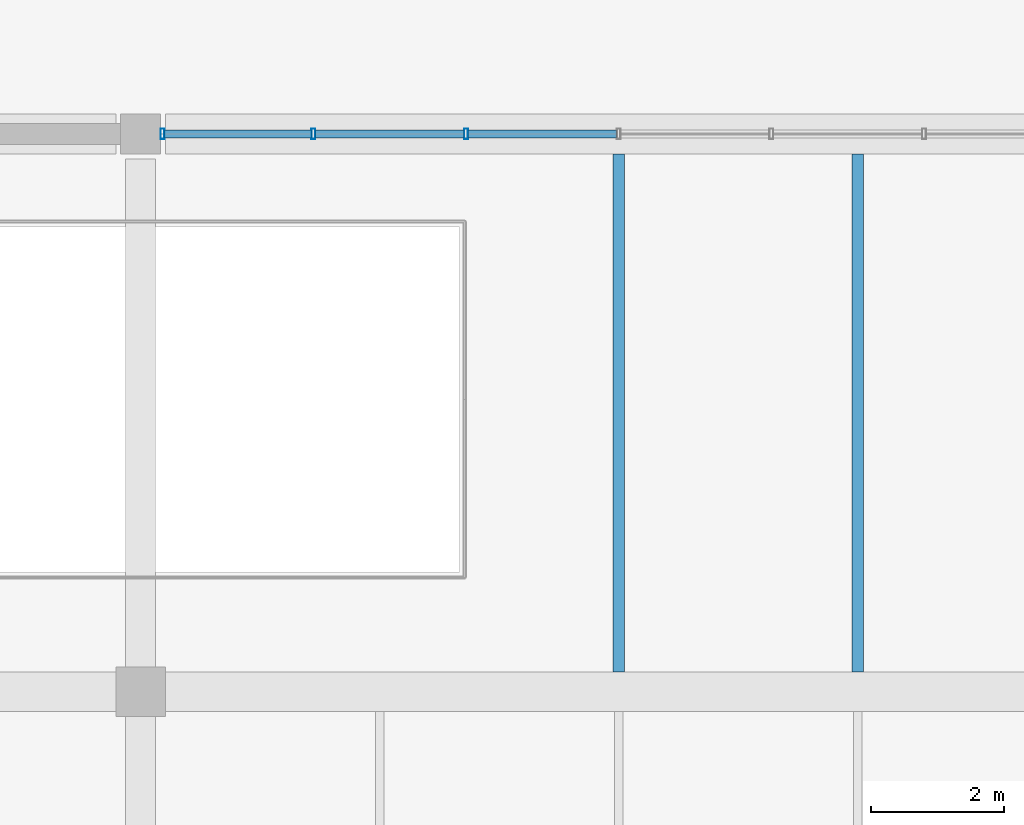
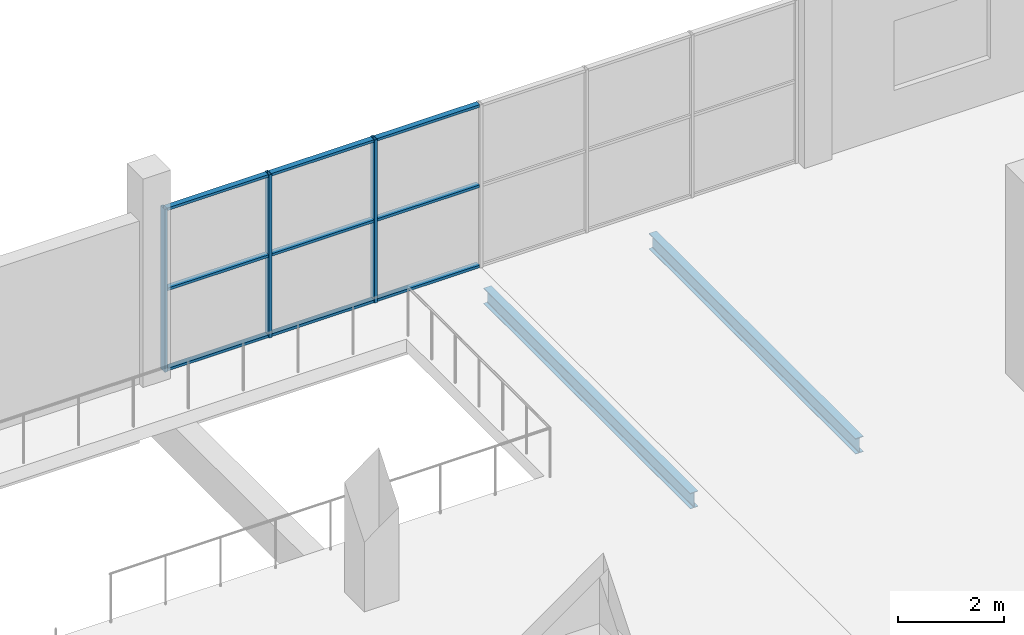
# One storey, part 58 of 130: 12 members, 2 beams, 1 element without a shape of its own.
"""IFC4 building model written with IfcOpenShell, lengths in metres."""

from ifc_helpers import new_model, si_unit, direction, frame, origin, origin_2d, place, context, subcontext, project, spatial, hollow_rectangle, i_section, extrude, material, material_profile, profile_set, type_object, element, aggregate, save


model = new_model("IFC4")

# Units and contexts
model_context = context("Model", 3, precision=1e-05, world=origin(), true_north=direction((0.0, 1.0)))
body_context = subcontext(model_context, "Body", "Model", "MODEL_VIEW")
ifc_project = project(units=[si_unit("LENGTHUNIT", "METRE"), si_unit("AREAUNIT", "SQUARE_METRE"), si_unit("VOLUMEUNIT", "CUBIC_METRE"), si_unit("PLANEANGLEUNIT", "RADIAN"), si_unit("MASSUNIT", "GRAM", prefix="KILO"), si_unit("THERMODYNAMICTEMPERATUREUNIT", "KELVIN")], contexts=[model_context])

# Site, building, storey
site_placement = place(None, origin())
site = spatial("IfcSite", under=ifc_project, at=site_placement, CompositionType="ELEMENT")
building_placement = place(site_placement, origin())
building = spatial("IfcBuilding", under=site, at=building_placement, Name="Nduvali Passage Aquatics Centre", CompositionType="ELEMENT")
storey_placement = place(building_placement, origin())
storey = spatial("IfcBuildingStorey", under=building, at=storey_placement, Name="L00", CompositionType="ELEMENT", Elevation=0.0)

# Curtain wall, members
ifc_material_1 = material(Name="Aluminium EN AW-6063 T6", Category="aluminium")
curtain_wall_type = type_object("IfcCurtainWallType", Name="ENV-CW-WELL", PredefinedType="NOTDEFINED", material=ifc_material_1)
curtain_wall_placement = place(storey_placement, origin())
curtain_wall = element("IfcCurtainWall", 1, at=curtain_wall_placement, inside=storey, type_object=curtain_wall_type, Name="L00 North Avenue Lobby CW 107", PredefinedType="NOTDEFINED")
ifc_material_profile_1 = material_profile(ifc_material_1, hollow_rectangle(XDim=0.06005859375, YDim=0.159912109375, WallThickness=0.00390625, at=origin_2d()), Name="ALU MULLION 60x160x4")
ifc_profile_set_1 = profile_set([ifc_material_profile_1], Name="Aluminium EN AW-6063 T6")
member_type_1 = type_object("IfcMemberType", Name="ENV-MEM-MUL60", PredefinedType="MULLION", material=ifc_profile_set_1)
member_1_placement = place(storey_placement, frame((83.1298828125, 117.60009765625, 0.0), z_axis=(0.0, 0.0, 1.0), x_axis=(1.0, 0.0, 0.0)))
member_1 = element("IfcMember", 2, at=member_1_placement, type_object=member_type_1, Name="North Avenue Lobby CW Mullion 1", PredefinedType="MULLION", context=body_context, shape_type="SweptSolid", body=[
    extrude(hollow_rectangle(XDim=0.06005859375, YDim=0.159912109375, WallThickness=0.00390625, at=origin_2d()), origin(), (0.0, 0.0, 1.0), 3.75390625),
])
member_2_placement = place(storey_placement, frame((85.39990234375, 117.60009765625, 0.0), z_axis=(0.0, 0.0, 1.0), x_axis=(1.0, 0.0, 0.0)))
member_2 = element("IfcMember", 3, at=member_2_placement, type_object=member_type_1, Name="North Avenue Lobby CW Mullion 2", PredefinedType="MULLION", context=body_context, shape_type="SweptSolid", body=[
    extrude(hollow_rectangle(XDim=0.06005859375, YDim=0.159912109375, WallThickness=0.00390625, at=origin_2d()), origin(), (0.0, 0.0, 1.0), 3.75390625),
])
member_3_placement = place(storey_placement, frame((87.699951171875, 117.60009765625, 0.0), z_axis=(0.0, 0.0, 1.0), x_axis=(1.0, 0.0, 0.0)))
member_3 = element("IfcMember", 4, at=member_3_placement, type_object=member_type_1, Name="North Avenue Lobby CW Mullion 3", PredefinedType="MULLION", context=body_context, shape_type="SweptSolid", body=[
    extrude(hollow_rectangle(XDim=0.06005859375, YDim=0.159912109375, WallThickness=0.00390625, at=origin_2d()), origin(), (0.0, 0.0, 1.0), 3.75390625),
])
ifc_material_profile_2 = material_profile(ifc_material_1, hollow_rectangle(XDim=0.1201171875, YDim=0.06005859375, WallThickness=0.00390625, at=origin_2d()), Name="ALU TRANSOM 120x60x4")
ifc_profile_set_2 = profile_set([ifc_material_profile_2], Name="Aluminium EN AW-6063 T6")
member_type_2 = type_object("IfcMemberType", Name="ENV-MEM-TRN60", PredefinedType="USERDEFINED", material=ifc_profile_set_2)
member_4_placement = place(storey_placement, frame((83.159912109375, 117.60009765625, 0.030029296875), z_axis=(1.0, 0.0, 0.0), x_axis=(0.0, 1.0, 0.0)))
member_4 = element("IfcMember", 5, at=member_4_placement, type_object=member_type_2, Name="North Avenue Lobby CW Transom B1-R0", ObjectType="TRANSOM", PredefinedType="USERDEFINED", context=body_context, shape_type="SweptSolid", body=[
    extrude(hollow_rectangle(XDim=0.1201171875, YDim=0.06005859375, WallThickness=0.00390625, at=origin_2d()), origin(), (0.0, 0.0, 1.0), 2.210205078125),
])
member_5_placement = place(storey_placement, frame((83.159912109375, 117.60009765625, 1.876953125), z_axis=(1.0, 0.0, 0.0), x_axis=(0.0, 1.0, 0.0)))
member_5 = element("IfcMember", 6, at=member_5_placement, type_object=member_type_2, Name="North Avenue Lobby CW Transom B1-R1", ObjectType="TRANSOM", PredefinedType="USERDEFINED", context=body_context, shape_type="SweptSolid", body=[
    extrude(hollow_rectangle(XDim=0.1201171875, YDim=0.06005859375, WallThickness=0.00390625, at=origin_2d()), origin(), (0.0, 0.0, 1.0), 2.210205078125),
])
member_6_placement = place(storey_placement, frame((83.159912109375, 117.60009765625, 3.723876953125), z_axis=(1.0, 0.0, 0.0), x_axis=(0.0, 1.0, 0.0)))
member_6 = element("IfcMember", 7, at=member_6_placement, type_object=member_type_2, Name="North Avenue Lobby CW Transom B1-R2", ObjectType="TRANSOM", PredefinedType="USERDEFINED", context=body_context, shape_type="SweptSolid", body=[
    extrude(hollow_rectangle(XDim=0.1201171875, YDim=0.06005859375, WallThickness=0.00390625, at=origin_2d()), origin(), (0.0, 0.0, 1.0), 2.210205078125),
])
member_7_placement = place(storey_placement, frame((85.429931640625, 117.60009765625, 0.030029296875), z_axis=(1.0, 0.0, 0.0), x_axis=(0.0, 1.0, 0.0)))
member_7 = element("IfcMember", 8, at=member_7_placement, type_object=member_type_2, Name="North Avenue Lobby CW Transom B2-R0", ObjectType="TRANSOM", PredefinedType="USERDEFINED", context=body_context, shape_type="SweptSolid", body=[
    extrude(hollow_rectangle(XDim=0.1201171875, YDim=0.06005859375, WallThickness=0.00390625, at=origin_2d()), origin(), (0.0, 0.0, 1.0), 2.239990234375),
])
member_8_placement = place(storey_placement, frame((85.429931640625, 117.60009765625, 1.876953125), z_axis=(1.0, 0.0, 0.0), x_axis=(0.0, 1.0, 0.0)))
member_8 = element("IfcMember", 9, at=member_8_placement, type_object=member_type_2, Name="North Avenue Lobby CW Transom B2-R1", ObjectType="TRANSOM", PredefinedType="USERDEFINED", context=body_context, shape_type="SweptSolid", body=[
    extrude(hollow_rectangle(XDim=0.1201171875, YDim=0.06005859375, WallThickness=0.00390625, at=origin_2d()), origin(), (0.0, 0.0, 1.0), 2.239990234375),
])
member_9_placement = place(storey_placement, frame((85.429931640625, 117.60009765625, 3.723876953125), z_axis=(1.0, 0.0, 0.0), x_axis=(0.0, 1.0, 0.0)))
member_9 = element("IfcMember", 10, at=member_9_placement, type_object=member_type_2, Name="North Avenue Lobby CW Transom B2-R2", ObjectType="TRANSOM", PredefinedType="USERDEFINED", context=body_context, shape_type="SweptSolid", body=[
    extrude(hollow_rectangle(XDim=0.1201171875, YDim=0.06005859375, WallThickness=0.00390625, at=origin_2d()), origin(), (0.0, 0.0, 1.0), 2.239990234375),
])
member_10_placement = place(storey_placement, frame((87.72998046875, 117.60009765625, 0.030029296875), z_axis=(1.0, 0.0, 0.0), x_axis=(0.0, 1.0, 0.0)))
member_10 = element("IfcMember", 11, at=member_10_placement, type_object=member_type_2, Name="North Avenue Lobby CW Transom B3-R0", ObjectType="TRANSOM", PredefinedType="USERDEFINED", context=body_context, shape_type="SweptSolid", body=[
    extrude(hollow_rectangle(XDim=0.1201171875, YDim=0.06005859375, WallThickness=0.00390625, at=origin_2d()), origin(), (0.0, 0.0, 1.0), 2.239990234375),
])
member_11_placement = place(storey_placement, frame((87.72998046875, 117.60009765625, 1.876953125), z_axis=(1.0, 0.0, 0.0), x_axis=(0.0, 1.0, 0.0)))
member_11 = element("IfcMember", 12, at=member_11_placement, type_object=member_type_2, Name="North Avenue Lobby CW Transom B3-R1", ObjectType="TRANSOM", PredefinedType="USERDEFINED", context=body_context, shape_type="SweptSolid", body=[
    extrude(hollow_rectangle(XDim=0.1201171875, YDim=0.06005859375, WallThickness=0.00390625, at=origin_2d()), origin(), (0.0, 0.0, 1.0), 2.239990234375),
])
member_12_placement = place(storey_placement, frame((87.72998046875, 117.60009765625, 3.723876953125), z_axis=(1.0, 0.0, 0.0), x_axis=(0.0, 1.0, 0.0)))
member_12 = element("IfcMember", 13, at=member_12_placement, type_object=member_type_2, Name="North Avenue Lobby CW Transom B3-R2", ObjectType="TRANSOM", PredefinedType="USERDEFINED", context=body_context, shape_type="SweptSolid", body=[
    extrude(hollow_rectangle(XDim=0.1201171875, YDim=0.06005859375, WallThickness=0.00390625, at=origin_2d()), origin(), (0.0, 0.0, 1.0), 2.239990234375),
])
aggregate(curtain_wall, [member_1, member_2, member_3, member_4, member_5, member_6, member_7, member_8, member_9, member_10, member_11, member_12])

# Beams
ifc_material_2 = material(Name="Steel S355", Category="steel")
ifc_material_profile_3 = material_profile(ifc_material_2, i_section(OverallWidth=0.169921875, OverallDepth=0.360107421875, WebThickness=0.008056640625, FlangeThickness=0.0126953125, FilletRadius=0.01806640625, at=origin_2d()), Name="IPE 360")
ifc_profile_set_3 = profile_set([ifc_material_profile_3], Name="Steel S355")
beam_type = type_object("IfcBeamType", Name="STR-JST-IPE360", PredefinedType="JOIST", material=ifc_profile_set_3)
for number, where, z_axis, x_axis, name in (
    (14, (90.0, 109.5, -0.48388671875), (0.0, 1.0, 0.0), (-1.0, 0.0, 0.0), "L00 Secondary Joist J6-0418"),
    (15, (93.60009765625, 109.5, -0.48388671875), (0.0, 1.0, 0.0), (-1.0, 0.0, 0.0), "L00 Secondary Joist J6-0419"),
):
    element("IfcBeam", number, at=place(storey_placement, frame(where, z_axis=z_axis, x_axis=x_axis)), inside=storey, type_object=beam_type, Name=name, PredefinedType="JOIST", context=body_context, shape_type="SweptSolid", body=[
        extrude(i_section(OverallWidth=0.169921875, OverallDepth=0.360107421875, WebThickness=0.008056640625, FlangeThickness=0.0126953125, FilletRadius=0.01806640625, at=origin_2d()), origin(), (0.0, 0.0, 1.0), 7.800048828125),
    ])

save(model, "model.ifc")
